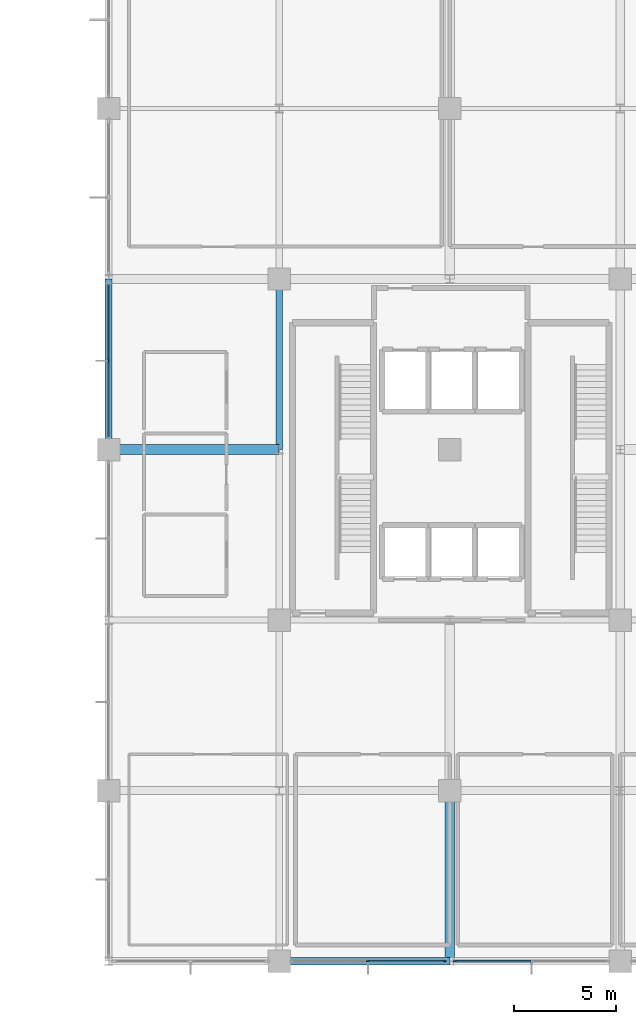
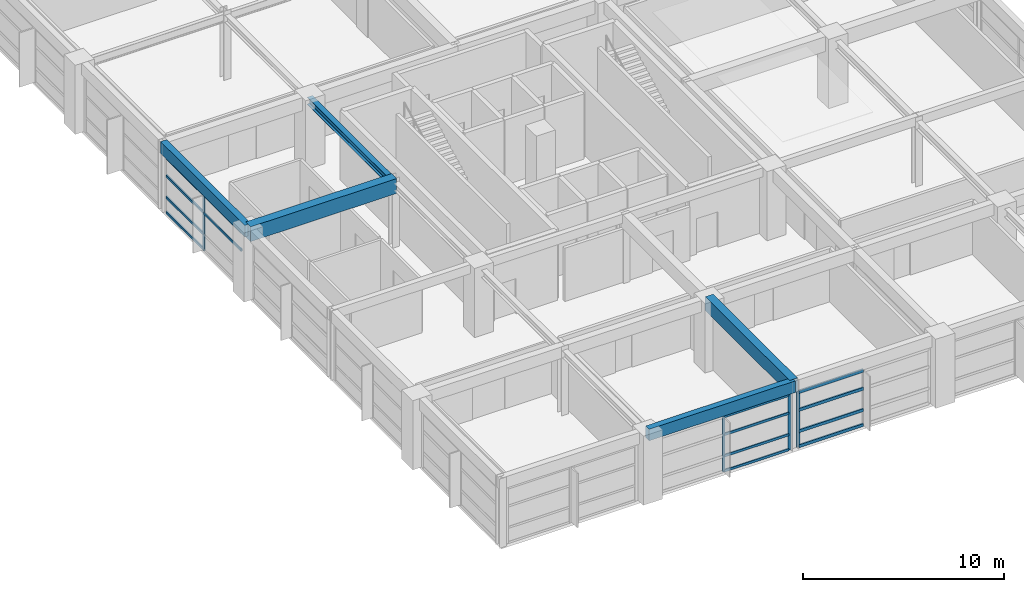
# One storey, part 6 of 18: 18 members, 5 beams, 3 elements without a shape of their own.
"""IFC4 building model written with IfcOpenShell, lengths in metres."""

from ifc_helpers import new_model, si_unit, direction, frame, origin, origin_2d, place, context, subcontext, project, spatial, rectangle, i_section, extrude, material, material_profile, profile_set, type_object, element, aggregate, save


model = new_model("IFC4")

# Units and contexts
model_context = context("Model", 3, precision=1e-05, world=origin(), true_north=direction((0.0, 1.0)))
body_context = subcontext(model_context, "Body", "Model", "MODEL_VIEW")
ifc_project = project(units=[si_unit("LENGTHUNIT", "METRE"), si_unit("AREAUNIT", "SQUARE_METRE"), si_unit("VOLUMEUNIT", "CUBIC_METRE"), si_unit("PLANEANGLEUNIT", "RADIAN"), si_unit("MASSUNIT", "GRAM", prefix="KILO")], contexts=[model_context])

# Site, building, storey
site_placement = place(None, origin())
site = spatial("IfcSite", under=ifc_project, at=site_placement, CompositionType="ELEMENT")
building_placement = place(site_placement, origin())
building = spatial("IfcBuilding", under=site, at=building_placement, Name="Xuanlan Plaza Opera House", CompositionType="ELEMENT")
storey_placement = place(building_placement, frame((0.0, 0.0, 32.10009765625)))
storey = spatial("IfcBuildingStorey", under=building, at=storey_placement, Name="L07", CompositionType="ELEMENT", Elevation=32.10009765625)

# Curtain wall, members
ifc_material_1 = material(Name="Anodised Aluminium 6063-T6 and Low-E Glass", Category="aluminium")
curtain_wall_type_1 = type_object("IfcCurtainWallType", Name="ENV-CW-CW-03", PredefinedType="USERDEFINED", material=ifc_material_1)
curtain_wall_1_placement = place(storey_placement, origin())
curtain_wall_1 = element("IfcCurtainWall", 1, at=curtain_wall_1_placement, inside=storey, type_object=curtain_wall_type_1, Name="Unitised Curtain Wall L07-002", ObjectType="UNITISED CURTAIN WALL", PredefinedType="USERDEFINED")
ifc_material_2 = material(Name="Anodised Aluminium 6063-T6", Category="aluminium")
ifc_material_profile_1 = material_profile(ifc_material_2, rectangle(XDim=0.06494140625, YDim=0.159912109375, at=origin_2d()), Name="ALU-M 65x160")
ifc_profile_set_1 = profile_set([ifc_material_profile_1], Name="Anodised Aluminium 6063-T6")
member_type_1 = type_object("IfcMemberType", Name="ENV-CWM-01", PredefinedType="MULLION", material=ifc_profile_set_1)
member_1_placement = place(storey_placement, frame((138.77490234375, 33.60009765625, 0.0), z_axis=(0.0, 0.0, 1.0), x_axis=(0.0, 1.0, 0.0)))
member_1 = element("IfcMember", 2, at=member_1_placement, type_object=member_type_1, Name="CW-03 mullion 2", PredefinedType="MULLION", context=body_context, shape_type="SweptSolid", body=[
    extrude(rectangle(XDim=0.06494140625, YDim=0.159912109375, at=origin_2d()), origin(), (0.0, 0.0, 1.0), 3.3798828125),
])
member_2_placement = place(storey_placement, frame((142.547607421875, 33.60009765625, 0.0), z_axis=(0.0, 0.0, 1.0), x_axis=(0.0, 1.0, 0.0)))
member_2 = element("IfcMember", 3, at=member_2_placement, type_object=member_type_1, Name="CW-03 mullion 3", PredefinedType="MULLION", context=body_context, shape_type="SweptSolid", body=[
    extrude(rectangle(XDim=0.06494140625, YDim=0.159912109375, at=origin_2d()), origin(), (0.0, 0.0, 1.0), 3.3798828125),
])

# Curtain wall, member
curtain_wall_type_2 = type_object("IfcCurtainWallType", Name="ENV-CW-CW-02", PredefinedType="USERDEFINED", material=ifc_material_1)
curtain_wall_2_placement = place(storey_placement, origin())
curtain_wall_2 = element("IfcCurtainWall", 4, at=curtain_wall_2_placement, inside=storey, type_object=curtain_wall_type_2, Name="Unitised Curtain Wall L07-017", ObjectType="UNITISED CURTAIN WALL", PredefinedType="USERDEFINED")
member_3_placement = place(storey_placement, frame((126.0, 63.175048828125, 0.0), z_axis=(0.0, 0.0, 1.0), x_axis=(1.0, 0.0, 0.0)))
member_3 = element("IfcMember", 5, at=member_3_placement, type_object=member_type_1, Name="CW-02 mullion 2", PredefinedType="MULLION", context=body_context, shape_type="SweptSolid", body=[
    extrude(rectangle(XDim=0.06494140625, YDim=0.159912109375, at=origin_2d()), origin(), (0.0, 0.0, 1.0), 3.3798828125),
])

curtain_wall_type_3 = type_object("IfcCurtainWallType", Name="ENV-CW-CW-04", PredefinedType="USERDEFINED", material=ifc_material_1)
curtain_wall_3_placement = place(storey_placement, origin())
curtain_wall_3 = element("IfcCurtainWall", 6, at=curtain_wall_3_placement, inside=storey, type_object=curtain_wall_type_3, Name="Unitised Curtain Wall L07-003", ObjectType="UNITISED CURTAIN WALL", PredefinedType="USERDEFINED")
ifc_material_profile_2 = material_profile(ifc_material_2, rectangle(XDim=0.070068359375, YDim=0.179931640625, at=origin_2d()), Name="ALU-M 70x180")
ifc_profile_set_2 = profile_set([ifc_material_profile_2], Name="Anodised Aluminium 6063-T6")
member_type_2 = type_object("IfcMemberType", Name="ENV-CWM-02", PredefinedType="MULLION", material=ifc_profile_set_2)
member_4_placement = place(storey_placement, frame((143.054931640625, 33.60009765625, 0.0), z_axis=(0.0, 0.0, 1.0), x_axis=(0.0, 1.0, 0.0)))
member_4 = element("IfcMember", 7, at=member_4_placement, type_object=member_type_2, Name="CW-04 mullion 1", PredefinedType="MULLION", context=body_context, shape_type="SweptSolid", body=[
    extrude(rectangle(XDim=0.070068359375, YDim=0.179931640625, at=origin_2d()), origin(), (0.0, 0.0, 1.0), 3.3798828125),
])

# Member
ifc_material_profile_3 = material_profile(ifc_material_2, rectangle(XDim=0.074951171875, YDim=0.14990234375, at=origin_2d()), Name="ALU-T 75x150")
ifc_profile_set_3 = profile_set([ifc_material_profile_3], Name="Anodised Aluminium 6063-T6")
member_type_3 = type_object("IfcMemberType", Name="ENV-CWT-03", PredefinedType="USERDEFINED", material=ifc_profile_set_3)
member_5_placement = place(storey_placement, frame((138.8076171875, 33.60009765625, 0.037353515625), z_axis=(1.0, 0.0, 0.0), x_axis=(0.0, 1.0, 0.0)))
member_5 = element("IfcMember", 8, at=member_5_placement, type_object=member_type_3, Name="CW-03 transom 2.1", ObjectType="TRANSOM", PredefinedType="USERDEFINED", context=body_context, shape_type="SweptSolid", body=[
    extrude(rectangle(XDim=0.074951171875, YDim=0.14990234375, at=origin_2d()), origin(), (0.0, 0.0, 1.0), 3.707275390625),
])

member_6_placement = place(storey_placement, frame((138.8076171875, 33.60009765625, 0.949951171875), z_axis=(1.0, 0.0, 0.0), x_axis=(0.0, 1.0, 0.0)))
member_6 = element("IfcMember", 9, at=member_6_placement, type_object=member_type_3, Name="CW-03 transom 2.2", ObjectType="TRANSOM", PredefinedType="USERDEFINED", context=body_context, shape_type="SweptSolid", body=[
    extrude(rectangle(XDim=0.074951171875, YDim=0.14990234375, at=origin_2d()), origin(), (0.0, 0.0, 1.0), 3.707275390625),
])

member_7_placement = place(storey_placement, frame((138.8076171875, 33.60009765625, 2.25), z_axis=(1.0, 0.0, 0.0), x_axis=(0.0, 1.0, 0.0)))
member_7 = element("IfcMember", 10, at=member_7_placement, type_object=member_type_3, Name="CW-03 transom 2.3", ObjectType="TRANSOM", PredefinedType="USERDEFINED", context=body_context, shape_type="SweptSolid", body=[
    extrude(rectangle(XDim=0.074951171875, YDim=0.14990234375, at=origin_2d()), origin(), (0.0, 0.0, 1.0), 3.707275390625),
])

member_8_placement = place(storey_placement, frame((138.8076171875, 33.60009765625, 3.34228515625), z_axis=(1.0, 0.0, 0.0), x_axis=(0.0, 1.0, 0.0)))
member_8 = element("IfcMember", 11, at=member_8_placement, type_object=member_type_3, Name="CW-03 transom 2.4", ObjectType="TRANSOM", PredefinedType="USERDEFINED", context=body_context, shape_type="SweptSolid", body=[
    extrude(rectangle(XDim=0.074951171875, YDim=0.14990234375, at=origin_2d()), origin(), (0.0, 0.0, 1.0), 3.707275390625),
])

aggregate(curtain_wall_1, [member_1, member_2, member_5, member_6, member_7, member_8])

member_9_placement = place(storey_placement, frame((126.0, 66.9150390625, 0.037353515625), z_axis=(0.0, -1.0, 0.0), x_axis=(1.0, 0.0, 0.0)))
member_9 = element("IfcMember", 12, at=member_9_placement, type_object=member_type_3, Name="CW-02 transom 1.1", ObjectType="TRANSOM", PredefinedType="USERDEFINED", context=body_context, shape_type="SweptSolid", body=[
    extrude(rectangle(XDim=0.074951171875, YDim=0.14990234375, at=origin_2d()), origin(), (0.0, 0.0, 1.0), 3.70751953125),
])

member_10_placement = place(storey_placement, frame((126.0, 66.9150390625, 0.949951171875), z_axis=(0.0, -1.0, 0.0), x_axis=(1.0, 0.0, 0.0)))
member_10 = element("IfcMember", 13, at=member_10_placement, type_object=member_type_3, Name="CW-02 transom 1.2", ObjectType="TRANSOM", PredefinedType="USERDEFINED", context=body_context, shape_type="SweptSolid", body=[
    extrude(rectangle(XDim=0.074951171875, YDim=0.14990234375, at=origin_2d()), origin(), (0.0, 0.0, 1.0), 3.70751953125),
])

member_11_placement = place(storey_placement, frame((126.0, 66.9150390625, 2.25), z_axis=(0.0, -1.0, 0.0), x_axis=(1.0, 0.0, 0.0)))
member_11 = element("IfcMember", 14, at=member_11_placement, type_object=member_type_3, Name="CW-02 transom 1.3", ObjectType="TRANSOM", PredefinedType="USERDEFINED", context=body_context, shape_type="SweptSolid", body=[
    extrude(rectangle(XDim=0.074951171875, YDim=0.14990234375, at=origin_2d()), origin(), (0.0, 0.0, 1.0), 3.70751953125),
])

member_12_placement = place(storey_placement, frame((126.0, 66.9150390625, 3.34228515625), z_axis=(0.0, -1.0, 0.0), x_axis=(1.0, 0.0, 0.0)))
member_12 = element("IfcMember", 15, at=member_12_placement, type_object=member_type_3, Name="CW-02 transom 1.4", ObjectType="TRANSOM", PredefinedType="USERDEFINED", context=body_context, shape_type="SweptSolid", body=[
    extrude(rectangle(XDim=0.074951171875, YDim=0.14990234375, at=origin_2d()), origin(), (0.0, 0.0, 1.0), 3.70751953125),
])

member_13_placement = place(storey_placement, frame((126.0, 63.142578125, 2.25), z_axis=(0.0, -1.0, 0.0), x_axis=(1.0, 0.0, 0.0)))
member_13 = element("IfcMember", 16, at=member_13_placement, type_object=member_type_3, Name="CW-02 transom 2.3", ObjectType="TRANSOM", PredefinedType="USERDEFINED", context=body_context, shape_type="SweptSolid", body=[
    extrude(rectangle(XDim=0.074951171875, YDim=0.14990234375, at=origin_2d()), origin(), (0.0, 0.0, 1.0), 3.70751953125),
])

member_14_placement = place(storey_placement, frame((126.0, 63.142578125, 3.34228515625), z_axis=(0.0, -1.0, 0.0), x_axis=(1.0, 0.0, 0.0)))
member_14 = element("IfcMember", 17, at=member_14_placement, type_object=member_type_3, Name="CW-02 transom 2.4", ObjectType="TRANSOM", PredefinedType="USERDEFINED", context=body_context, shape_type="SweptSolid", body=[
    extrude(rectangle(XDim=0.074951171875, YDim=0.14990234375, at=origin_2d()), origin(), (0.0, 0.0, 1.0), 3.70751953125),
])

aggregate(curtain_wall_2, [member_3, member_9, member_10, member_11, member_12, member_13, member_14])

ifc_material_profile_4 = material_profile(ifc_material_2, rectangle(XDim=0.090087890625, YDim=0.179931640625, at=origin_2d()), Name="ALU-T 90x180")
ifc_profile_set_4 = profile_set([ifc_material_profile_4], Name="Anodised Aluminium 6063-T6")
member_type_4 = type_object("IfcMemberType", Name="ENV-CWT-05", PredefinedType="USERDEFINED", material=ifc_profile_set_4)
member_15_placement = place(storey_placement, frame((143.090087890625, 33.60009765625, 0.044921875), z_axis=(1.0, 0.0, 0.0), x_axis=(0.0, 1.0, 0.0)))
member_15 = element("IfcMember", 18, at=member_15_placement, type_object=member_type_4, Name="CW-04 transom 1.1", ObjectType="TRANSOM", PredefinedType="USERDEFINED", context=body_context, shape_type="SweptSolid", body=[
    extrude(rectangle(XDim=0.090087890625, YDim=0.179931640625, at=origin_2d()), origin(), (0.0, 0.0, 1.0), 3.699951171875),
])

member_16_placement = place(storey_placement, frame((143.090087890625, 33.60009765625, 0.949951171875), z_axis=(1.0, 0.0, 0.0), x_axis=(0.0, 1.0, 0.0)))
member_16 = element("IfcMember", 19, at=member_16_placement, type_object=member_type_4, Name="CW-04 transom 1.2", ObjectType="TRANSOM", PredefinedType="USERDEFINED", context=body_context, shape_type="SweptSolid", body=[
    extrude(rectangle(XDim=0.090087890625, YDim=0.179931640625, at=origin_2d()), origin(), (0.0, 0.0, 1.0), 3.699951171875),
])

member_17_placement = place(storey_placement, frame((143.090087890625, 33.60009765625, 2.25), z_axis=(1.0, 0.0, 0.0), x_axis=(0.0, 1.0, 0.0)))
member_17 = element("IfcMember", 20, at=member_17_placement, type_object=member_type_4, Name="CW-04 transom 1.3", ObjectType="TRANSOM", PredefinedType="USERDEFINED", context=body_context, shape_type="SweptSolid", body=[
    extrude(rectangle(XDim=0.090087890625, YDim=0.179931640625, at=origin_2d()), origin(), (0.0, 0.0, 1.0), 3.699951171875),
])

member_18_placement = place(storey_placement, frame((143.090087890625, 33.60009765625, 3.3349609375), z_axis=(1.0, 0.0, 0.0), x_axis=(0.0, 1.0, 0.0)))
member_18 = element("IfcMember", 21, at=member_18_placement, type_object=member_type_4, Name="CW-04 transom 1.4", ObjectType="TRANSOM", PredefinedType="USERDEFINED", context=body_context, shape_type="SweptSolid", body=[
    extrude(rectangle(XDim=0.090087890625, YDim=0.179931640625, at=origin_2d()), origin(), (0.0, 0.0, 1.0), 3.699951171875),
])

aggregate(curtain_wall_3, [member_4, member_15, member_16, member_17, member_18])

# Beams
ifc_material_3 = material(Name="Concrete C40", Category="concrete")
ifc_material_profile_5 = material_profile(ifc_material_3, rectangle(XDim=0.5, YDim=0.89990234375, at=origin_2d()), Name="RC-BM 500x900")
ifc_profile_set_5 = profile_set([ifc_material_profile_5], Name="Concrete C40")
beam_type_1 = type_object("IfcBeamType", Name="STR-BM-B-03", PredefinedType="BEAM", material=ifc_profile_set_5)
beam_1_placement = place(storey_placement, frame((126.0, 58.800048828125, 3.75), z_axis=(1.0, 0.0, 0.0), x_axis=(0.0, 1.0, 0.0)))
element("IfcBeam", 22, at=beam_1_placement, inside=storey, type_object=beam_type_1, Name="Grid Beam X L07 16-17/H", PredefinedType="BEAM", context=body_context, shape_type="SweptSolid", body=[
    extrude(rectangle(XDim=0.5, YDim=0.89990234375, at=origin_2d()), origin(), (0.0, 0.0, 1.0), 8.39990234375),
])
ifc_material_profile_6 = material_profile(ifc_material_3, rectangle(XDim=0.449951171875, YDim=0.85009765625, at=origin_2d()), Name="RC-BM 450x850")
ifc_profile_set_6 = profile_set([ifc_material_profile_6], Name="Concrete C40")
beam_type_2 = type_object("IfcBeamType", Name="STR-BM-B-04", PredefinedType="BEAM", material=ifc_profile_set_6)
beam_2_placement = place(storey_placement, frame((142.800048828125, 33.60009765625, 3.77490234375), z_axis=(0.0, 1.0, 0.0), x_axis=(-1.0, 0.0, 0.0)))
element("IfcBeam", 23, at=beam_2_placement, inside=storey, type_object=beam_type_2, Name="Grid Beam Y L07 18/E-F", PredefinedType="BEAM", context=body_context, shape_type="SweptSolid", body=[
    extrude(rectangle(XDim=0.449951171875, YDim=0.85009765625, at=origin_2d()), origin(), (0.0, 0.0, 1.0), 8.39990234375),
])
ifc_material_4 = material(Name="Steel Q355B", Category="steel")
ifc_material_profile_7 = material_profile(ifc_material_4, i_section(OverallWidth=0.300048828125, OverallDepth=0.43994140625, WebThickness=0.010986328125, FlangeThickness=0.01806640625, FilletRadius=0.02001953125, at=origin_2d()), Name="HM 440x300x11x18")
ifc_profile_set_7 = profile_set([ifc_material_profile_7], Name="Steel Q355B")
beam_type_3 = type_object("IfcBeamType", Name="STR-BM-SB-08", PredefinedType="BEAM", material=ifc_profile_set_7)
beam_3_placement = place(storey_placement, frame((134.39990234375, 58.800048828125, 3.73486328125), z_axis=(0.0, 1.0, 0.0), x_axis=(-1.0, 0.0, 0.0)))
element("IfcBeam", 24, at=beam_3_placement, inside=storey, type_object=beam_type_3, Name="Grid Beam Y L07 17/H-I", PredefinedType="BEAM", context=body_context, shape_type="SweptSolid", body=[
    extrude(i_section(OverallWidth=0.300048828125, OverallDepth=0.43994140625, WebThickness=0.010986328125, FlangeThickness=0.01806640625, FilletRadius=0.02001953125, at=origin_2d()), origin(), (0.0, 0.0, 1.0), 8.39990234375),
])
ifc_material_profile_8 = material_profile(ifc_material_3, rectangle(XDim=0.35009765625, YDim=0.699951171875, at=origin_2d()), Name="RC-SPD 350x700")
ifc_profile_set_8 = profile_set([ifc_material_profile_8], Name="Concrete C40")
beam_type_4 = type_object("IfcBeamType", Name="STR-BM-SP-02", PredefinedType="SPANDREL", material=ifc_profile_set_8)
beam_4_placement = place(storey_placement, frame((134.39990234375, 33.60009765625, 3.849853515625), z_axis=(1.0, 0.0, 0.0), x_axis=(0.0, 1.0, 0.0)))
element("IfcBeam", 25, at=beam_4_placement, inside=storey, type_object=beam_type_4, Name="Grid Beam X L07 17-18/E", PredefinedType="SPANDREL", context=body_context, shape_type="SweptSolid", body=[
    extrude(rectangle(XDim=0.35009765625, YDim=0.699951171875, at=origin_2d()), origin(), (0.0, 0.0, 1.0), 8.400146484375),
])
beam_5_placement = place(storey_placement, frame((126.0, 58.800048828125, 3.849853515625), z_axis=(0.0, 1.0, 0.0), x_axis=(-1.0, 0.0, 0.0)))
element("IfcBeam", 26, at=beam_5_placement, inside=storey, type_object=beam_type_4, Name="Grid Beam Y L07 16/H-I", PredefinedType="SPANDREL", context=body_context, shape_type="SweptSolid", body=[
    extrude(rectangle(XDim=0.35009765625, YDim=0.699951171875, at=origin_2d()), origin(), (0.0, 0.0, 1.0), 8.39990234375),
])

save(model, "model.ifc")
